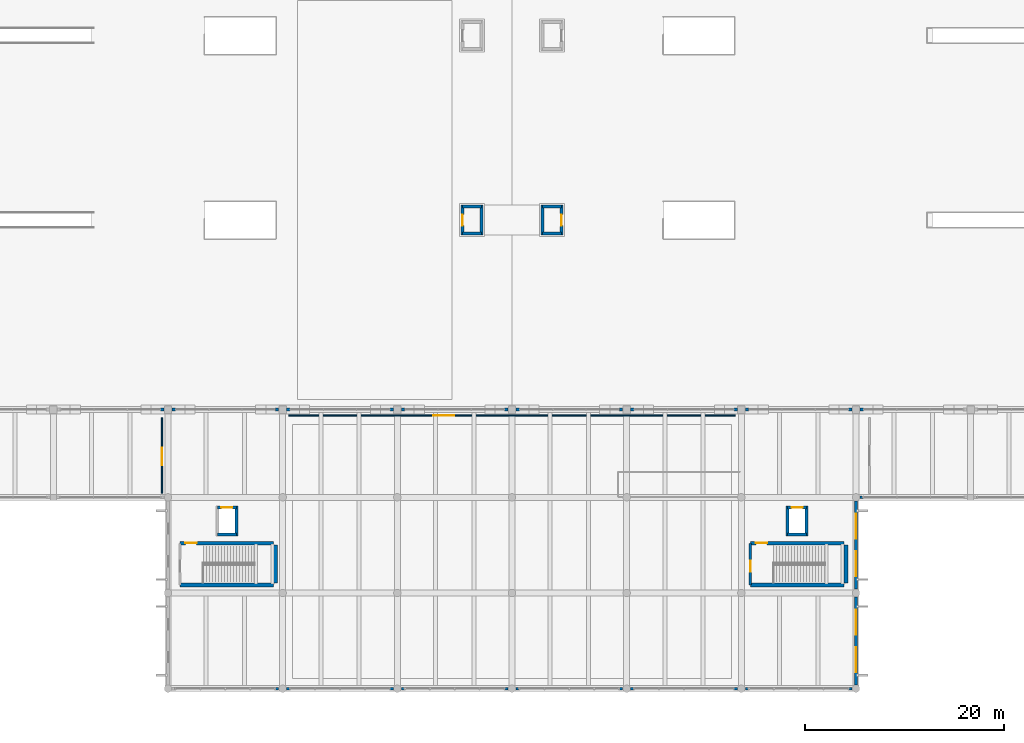
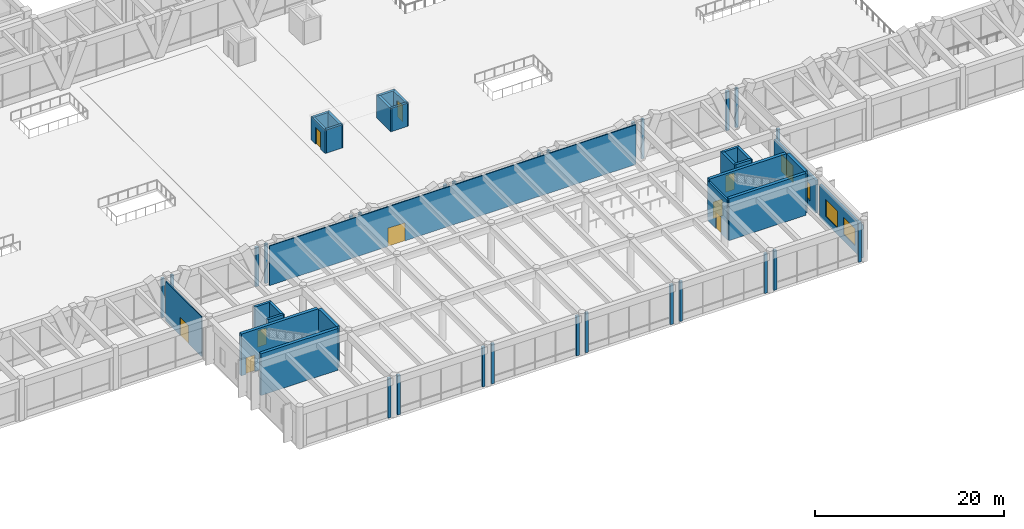
# One storey, part 125 of 148: 52 walls, 9 doors, 4 windows, 13 openings.
"""IFC4 building model written with IfcOpenShell, lengths in metres."""

from ifc_helpers import new_model, si_unit, direction, frame, frame_2d, origin, place, context, subcontext, project, spatial, rectangle, extrude, material, layer, layer_set, type_object, element, fill, save


model = new_model("IFC4")

# Units and contexts
model_context = context("Model", 3, precision=1e-05, world=origin(), true_north=direction((0.0, 1.0)))
body_context = subcontext(model_context, "Body", "Model", "MODEL_VIEW")
ifc_project = project(units=[si_unit("LENGTHUNIT", "METRE"), si_unit("AREAUNIT", "SQUARE_METRE"), si_unit("VOLUMEUNIT", "CUBIC_METRE"), si_unit("PLANEANGLEUNIT", "RADIAN"), si_unit("MASSUNIT", "GRAM", prefix="KILO")], contexts=[model_context])

# Site, building, storey
site_placement = place(None, origin())
site = spatial("IfcSite", under=ifc_project, at=site_placement, CompositionType="ELEMENT")
building_placement = place(site_placement, origin())
building = spatial("IfcBuilding", under=site, at=building_placement, Name="Ologun Quay Terminus", CompositionType="ELEMENT")
storey_placement = place(building_placement, frame((0.0, 0.0, 8.39990234375)))
storey = spatial("IfcBuildingStorey", under=building, at=storey_placement, Name="L02", CompositionType="ELEMENT", Elevation=8.39990234375)

# Wall, opening, door
ifc_material_1 = material(Name="Glass", Category="glass")
ifc_layer_1 = layer(ifc_material_1, 0.1201171875)
ifc_layer_set_1 = layer_set([ifc_layer_1], Name="Glass")
wall_type_1 = type_object("IfcWallType", Name="Acoustic Glazed Concourse Screen Wall 120", PredefinedType="MOVABLE", material=ifc_layer_set_1)
wall_1_placement = place(storey_placement, frame((69.60009765625, 35.39990234375, 0.0), z_axis=(0.0, 0.0, 1.0), x_axis=(1.0, 0.0, 0.0)))
wall_1 = element("IfcWall", 1, at=wall_1_placement, inside=storey, type_object=wall_type_1, Name="PW-10 Partition L02-WaitingLounge-N", PredefinedType="MOVABLE", context=body_context, shape_type="SweptSolid", body=[
    extrude(rectangle(XDim=44.7998046875, YDim=0.1201171875, at=frame_2d((22.39990234375, 0.0))), origin(), (0.0, 0.0, 1.0), 5.1201171875),
])
opening_1_placement = place(wall_1_placement, frame((14.5, 0.0, 0.0)))
opening_1 = element("IfcOpeningElement", 2, at=opening_1_placement, cuts=wall_1, Name="Opening ID-313", PredefinedType="OPENING", context=body_context, shape_type="SweptSolid", body=[
    extrude(rectangle(XDim=2.10009765625, YDim=2.35009765625, at=frame_2d((1.050048828125, 1.175048828125))), frame((0.0, 0.070068359375, 0.0), z_axis=(0.0, -1.0, 0.0), x_axis=(1.0, 0.0, 0.0)), (0.0, 0.0, 1.0), 0.14013671875),
])
ifc_material_2 = material(Name="Glass", Category="glass")
door_type_1 = type_object("IfcDoorType", Name="Waiting Lounge Glazed Pair 2100x2350", OperationType="DOUBLE_DOOR_SINGLE_SWING", PredefinedType="DOOR", material=ifc_material_2)
door_1_placement = place(opening_1_placement, origin())
door_1 = element("IfcDoor", 3, at=door_1_placement, inside=storey, type_object=door_type_1, Name="ID-07 Door ID-313", OperationType="DOUBLE_DOOR_SINGLE_SWING", OverallHeight=2.35009765625, OverallWidth=2.10009765625, PredefinedType="DOOR", context=body_context, shape_type="SweptSolid", body=[
    extrude(rectangle(XDim=2.10009765625, YDim=2.35009765625, at=frame_2d((1.050048828125, 1.175048828125))), frame((0.0, 0.02490234375, 0.0), z_axis=(0.0, -1.0, 0.0), x_axis=(1.0, 0.0, 0.0)), (0.0, 0.0, 1.0), 0.050048828125),
])
fill(opening_1, door_1)

# Walls
ifc_material_3 = material(Name="Concrete C40/50", Category="concrete")
ifc_layer_2 = layer(ifc_material_3, 0.280029296875)
ifc_layer_set_2 = layer_set([ifc_layer_2], Name="Concrete C40/50")
wall_type_2 = type_object("IfcWallType", Name="Courtyard Wing Spandrel Concrete Wall 280", PredefinedType="SOLIDWALL", material=ifc_layer_set_2)
for number, where, z_axis, x_axis, name in (
    (4, (68.2548828125, 8.0, 0.0), (0.0, 0.0, 1.0), (1.0, 0.0, 0.0), "Curtain Wall Jamb Pier CW-L02-024-J2"),
    (5, (69.39501953125, 8.0, 0.0), (0.0, 0.0, 1.0), (1.0, 0.0, 0.0), "Curtain Wall Jamb Pier CW-L02-025-J1"),
    (6, (79.7548828125, 8.0, 0.0), (0.0, 0.0, 1.0), (1.0, 0.0, 0.0), "Curtain Wall Jamb Pier CW-L02-025-J2"),
    (7, (80.89501953125, 8.0, 0.0), (0.0, 0.0, 1.0), (1.0, 0.0, 0.0), "Curtain Wall Jamb Pier CW-L02-026-J1"),
    (8, (91.2548828125, 8.0, 0.0), (0.0, 0.0, 1.0), (1.0, 0.0, 0.0), "Curtain Wall Jamb Pier CW-L02-026-J2"),
    (9, (92.39501953125, 8.0, 0.0), (0.0, 0.0, 1.0), (1.0, 0.0, 0.0), "Curtain Wall Jamb Pier CW-L02-027-J1"),
    (10, (102.7548828125, 8.0, 0.0), (0.0, 0.0, 1.0), (1.0, 0.0, 0.0), "Curtain Wall Jamb Pier CW-L02-027-J2"),
    (11, (103.89501953125, 8.0, 0.0), (0.0, 0.0, 1.0), (1.0, 0.0, 0.0), "Curtain Wall Jamb Pier CW-L02-028-J1"),
    (12, (114.2548828125, 8.0, 0.0), (0.0, 0.0, 1.0), (1.0, 0.0, 0.0), "Curtain Wall Jamb Pier CW-L02-028-J2"),
    (13, (115.39501953125, 8.0, 0.0), (0.0, 0.0, 1.0), (1.0, 0.0, 0.0), "Curtain Wall Jamb Pier CW-L02-029-J1"),
    (14, (125.7548828125, 8.0, 0.0), (0.0, 0.0, 1.0), (1.0, 0.0, 0.0), "Curtain Wall Jamb Pier CW-L02-029-J2"),
):
    element("IfcWall", number, at=place(storey_placement, frame(where, z_axis=z_axis, x_axis=x_axis)), inside=storey, type_object=wall_type_2, Name=name, PredefinedType="SOLIDWALL", context=body_context, shape_type="SweptSolid", body=[
        extrude(rectangle(XDim=0.35009765625, YDim=0.280029296875, at=frame_2d((0.175048828125, 0.0))), origin(), (0.0, 0.0, 1.0), 5.14013671875),
    ])

# Wall, openings, windows
wall_2_placement = place(storey_placement, frame((126.5, 8.39501953125, 0.0), z_axis=(0.0, 0.0, 1.0), x_axis=(0.0, 1.0, 0.0)))
wall_2 = element("IfcWall", 15, at=wall_2_placement, inside=storey, type_object=wall_type_2, Name="EW-02 Facade Wall WEW-SA-L02-2-7", PredefinedType="SOLIDWALL", context=body_context, shape_type="SweptSolid", body=[
    extrude(rectangle(XDim=8.81005859375, YDim=0.280029296875, at=frame_2d((4.405029296875, 0.0))), origin(), (0.0, 0.0, 1.0), 4.25),
])
opening_2_placement = place(wall_2_placement, frame((1.27001953125, 0.0, 0.85009765625)))
opening_2 = element("IfcOpeningElement", 16, at=opening_2_placement, cuts=wall_2, Name="Opening WN-073", PredefinedType="OPENING", context=body_context, shape_type="SweptSolid", body=[
    extrude(rectangle(XDim=2.5, YDim=2.199951171875, at=frame_2d((1.25, 1.10009765625))), frame((0.0, 0.14990234375, 0.0), z_axis=(0.0, -1.0, 0.0), x_axis=(1.0, 0.0, 0.0)), (0.0, 0.0, 1.0), 0.300048828125),
])
opening_3_placement = place(wall_2_placement, frame((5.0400390625, 0.0, 0.85009765625)))
opening_3 = element("IfcOpeningElement", 17, at=opening_3_placement, cuts=wall_2, Name="Opening WN-074", PredefinedType="OPENING", context=body_context, shape_type="SweptSolid", body=[
    extrude(rectangle(XDim=2.5, YDim=2.199951171875, at=frame_2d((1.25, 1.10009765625))), frame((0.0, 0.14990234375, 0.0), z_axis=(0.0, -1.0, 0.0), x_axis=(1.0, 0.0, 0.0)), (0.0, 0.0, 1.0), 0.300048828125),
])
ifc_material_4 = material(Name="Glass", Category="glass")
window_type = type_object("IfcWindowType", Name="Concourse Waiting Window 2500x2200", PartitioningType="SINGLE_PANEL", PredefinedType="WINDOW", material=ifc_material_4)
window_1_placement = place(opening_2_placement, origin())
window_1 = element("IfcWindow", 18, at=window_1_placement, inside=storey, type_object=window_type, Name="W-07 Window WN-073", OverallHeight=2.199951171875, OverallWidth=2.5, PartitioningType="SINGLE_PANEL", PredefinedType="WINDOW", context=body_context, shape_type="SweptSolid", body=[
    extrude(rectangle(XDim=2.5, YDim=2.199951171875, at=frame_2d((1.25, 1.10009765625))), frame((0.0, 0.030029296875, 0.0), z_axis=(0.0, -1.0, 0.0), x_axis=(1.0, 0.0, 0.0)), (0.0, 0.0, 1.0), 0.06005859375),
])
fill(opening_2, window_1)
window_2_placement = place(opening_3_placement, origin())
window_2 = element("IfcWindow", 19, at=window_2_placement, inside=storey, type_object=window_type, Name="W-07 Window WN-074", OverallHeight=2.199951171875, OverallWidth=2.5, PartitioningType="SINGLE_PANEL", PredefinedType="WINDOW", context=body_context, shape_type="SweptSolid", body=[
    extrude(rectangle(XDim=2.5, YDim=2.199951171875, at=frame_2d((1.25, 1.10009765625))), frame((0.0, 0.030029296875, 0.0), z_axis=(0.0, -1.0, 0.0), x_axis=(1.0, 0.0, 0.0)), (0.0, 0.0, 1.0), 0.06005859375),
])
fill(opening_3, window_2)

wall_3_placement = place(storey_placement, frame((126.5, 17.9951171875, 0.0), z_axis=(0.0, 0.0, 1.0), x_axis=(0.0, 1.0, 0.0)))
wall_3 = element("IfcWall", 20, at=wall_3_placement, inside=storey, type_object=wall_type_2, Name="EW-02 Facade Wall WEW-SA-L02-2-8", PredefinedType="SOLIDWALL", context=body_context, shape_type="SweptSolid", body=[
    extrude(rectangle(XDim=8.809814453125, YDim=0.280029296875, at=frame_2d((4.40478515625, 0.0))), origin(), (0.0, 0.0, 1.0), 4.25),
])
opening_4_placement = place(wall_3_placement, frame((1.27001953125, 0.0, 0.85009765625)))
opening_4 = element("IfcOpeningElement", 21, at=opening_4_placement, cuts=wall_3, Name="Opening WN-075", PredefinedType="OPENING", context=body_context, shape_type="SweptSolid", body=[
    extrude(rectangle(XDim=2.5, YDim=2.199951171875, at=frame_2d((1.25, 1.10009765625))), frame((0.0, 0.14990234375, 0.0), z_axis=(0.0, -1.0, 0.0), x_axis=(1.0, 0.0, 0.0)), (0.0, 0.0, 1.0), 0.300048828125),
])
opening_5_placement = place(wall_3_placement, frame((5.0400390625, 0.0, 0.85009765625)))
opening_5 = element("IfcOpeningElement", 22, at=opening_5_placement, cuts=wall_3, Name="Opening WN-076", PredefinedType="OPENING", context=body_context, shape_type="SweptSolid", body=[
    extrude(rectangle(XDim=2.5, YDim=2.199951171875, at=frame_2d((1.25, 1.10009765625))), frame((0.0, 0.14990234375, 0.0), z_axis=(0.0, -1.0, 0.0), x_axis=(1.0, 0.0, 0.0)), (0.0, 0.0, 1.0), 0.300048828125),
])
window_3_placement = place(opening_4_placement, origin())
window_3 = element("IfcWindow", 23, at=window_3_placement, inside=storey, type_object=window_type, Name="W-07 Window WN-075", OverallHeight=2.199951171875, OverallWidth=2.5, PartitioningType="SINGLE_PANEL", PredefinedType="WINDOW", context=body_context, shape_type="SweptSolid", body=[
    extrude(rectangle(XDim=2.5, YDim=2.199951171875, at=frame_2d((1.25, 1.10009765625))), frame((0.0, 0.030029296875, 0.0), z_axis=(0.0, -1.0, 0.0), x_axis=(1.0, 0.0, 0.0)), (0.0, 0.0, 1.0), 0.06005859375),
])
fill(opening_4, window_3)
window_4_placement = place(opening_5_placement, origin())
window_4 = element("IfcWindow", 24, at=window_4_placement, inside=storey, type_object=window_type, Name="W-07 Window WN-076", OverallHeight=2.199951171875, OverallWidth=2.5, PartitioningType="SINGLE_PANEL", PredefinedType="WINDOW", context=body_context, shape_type="SweptSolid", body=[
    extrude(rectangle(XDim=2.5, YDim=2.199951171875, at=frame_2d((1.25, 1.10009765625))), frame((0.0, 0.030029296875, 0.0), z_axis=(0.0, -1.0, 0.0), x_axis=(1.0, 0.0, 0.0)), (0.0, 0.0, 1.0), 0.06005859375),
])
fill(opening_5, window_4)

# Wall
wall_4_placement = place(storey_placement, frame((126.89501953125, 27.199951171875, 0.0), z_axis=(0.0, 0.0, 1.0), x_axis=(1.0, 0.0, 0.0)))
element("IfcWall", 25, at=wall_4_placement, inside=storey, type_object=wall_type_2, Name="Curtain Wall Jamb Pier CW-L02-030-J1", PredefinedType="SOLIDWALL", context=body_context, shape_type="SweptSolid", body=[
    extrude(rectangle(XDim=0.35009765625, YDim=0.280029296875, at=frame_2d((0.175048828125, 0.0))), origin(), (0.0, 0.0, 1.0), 5.14013671875),
])

# Wall, opening, door
ifc_material_5 = material(Name="Concrete C40/50", Category="concrete")
ifc_layer_3 = layer(ifc_material_5, 0.239990234375)
ifc_layer_set_3 = layer_set([ifc_layer_3], Name="Concrete C40/50")
wall_type_3 = type_object("IfcWallType", Name="Fire Compartment Blockwork Wall 240", PredefinedType="SOLIDWALL", material=ifc_layer_set_3)
wall_5_placement = place(storey_placement, frame((115.89990234375, 18.419921875, 0.0), z_axis=(0.0, 0.0, 1.0), x_axis=(0.0, 1.0, 0.0)))
wall_5 = element("IfcWall", 26, at=wall_5_placement, inside=storey, type_object=wall_type_3, Name="PW-01 Partition ST-S4-W", PredefinedType="SOLIDWALL", context=body_context, shape_type="SweptSolid", body=[
    extrude(rectangle(XDim=4.16015625, YDim=0.239990234375, at=frame_2d((2.080078125, 0.0))), origin(), (0.0, 0.0, 1.0), 5.1201171875),
])
opening_6_placement = place(wall_5_placement, frame((1.300048828125, 0.0, 0.0)))
opening_6 = element("IfcOpeningElement", 27, at=opening_6_placement, cuts=wall_5, Name="Opening ID-270", PredefinedType="OPENING", context=body_context, shape_type="SweptSolid", body=[
    extrude(rectangle(XDim=1.1298828125, YDim=2.14990234375, at=frame_2d((0.56494140625, 1.074951171875))), frame((0.0, 0.1298828125, 0.0), z_axis=(0.0, -1.0, 0.0), x_axis=(1.0, 0.0, 0.0)), (0.0, 0.0, 1.0), 0.260009765625),
])
ifc_material_6 = material(Name="Steel S355", Category="steel")
door_type_2 = type_object("IfcDoorType", Name="Stairwell Fire Escape Door 1130x2150", OperationType="SINGLE_SWING_LEFT", PredefinedType="DOOR", material=ifc_material_6)
door_2_placement = place(opening_6_placement, frame((0.56494140625, 0.0, 0.0), z_axis=(0.0, 0.0, 1.0), x_axis=(-1.0, 0.0, 0.0)))
door_2 = element("IfcDoor", 28, at=door_2_placement, inside=storey, type_object=door_type_2, Name="FD-01 Door ID-270", OperationType="SINGLE_SWING_LEFT", OverallHeight=2.14990234375, OverallWidth=1.1298828125, PredefinedType="DOOR", context=body_context, shape_type="SweptSolid", body=[
    extrude(rectangle(XDim=1.1298828125, YDim=2.14990234375, at=frame_2d((0.0, 1.074951171875))), frame((0.0, 0.02490234375, 0.0), z_axis=(0.0, -1.0, 0.0), x_axis=(1.0, 0.0, 0.0)), (0.0, 0.0, 1.0), 0.050048828125),
])
fill(opening_6, door_2)

# Wall
ifc_material_7 = material(Name="Concrete C40/50", Category="concrete")
ifc_layer_4 = layer(ifc_material_7, 0.300048828125)
ifc_layer_set_4 = layer_set([ifc_layer_4], Name="Concrete C40/50")
wall_type_4 = type_object("IfcWallType", Name="Lift Shaft Structural Shear Wall 300", PredefinedType="SHEAR", material=ifc_layer_set_4)
wall_6_placement = place(storey_placement, frame((62.449951171875, 23.449951171875, 0.0), z_axis=(0.0, 0.0, 1.0), x_axis=(1.0, 0.0, 0.0)))
element("IfcWall", 29, at=wall_6_placement, inside=storey, type_object=wall_type_4, Name="Lift PL-S1 Shaft Wall S L02", PredefinedType="SHEAR", context=body_context, shape_type="SweptSolid", body=[
    extrude(rectangle(XDim=1.900146484375, YDim=0.300048828125, at=frame_2d((0.9501953125, 0.0))), origin(), (0.0, 0.0, 1.0), 5.400146484375),
])

# Wall, opening, door
wall_7_placement = place(storey_placement, frame((62.449951171875, 26.14990234375, 0.0), z_axis=(0.0, 0.0, 1.0), x_axis=(1.0, 0.0, 0.0)))
wall_7 = element("IfcWall", 30, at=wall_7_placement, inside=storey, type_object=wall_type_4, Name="Lift PL-S1 Shaft Wall N L02", PredefinedType="SHEAR", context=body_context, shape_type="SweptSolid", body=[
    extrude(rectangle(XDim=1.900146484375, YDim=0.300048828125, at=frame_2d((0.9501953125, 0.0))), origin(), (0.0, 0.0, 1.0), 5.400146484375),
])
opening_7_placement = place(wall_7_placement, frame((0.39990234375, 0.0, 0.0)))
opening_7 = element("IfcOpeningElement", 31, at=opening_7_placement, cuts=wall_7, Name="Opening ID-050", PredefinedType="OPENING", context=body_context, shape_type="SweptSolid", body=[
    extrude(rectangle(XDim=1.10009765625, YDim=2.14990234375, at=frame_2d((0.550048828125, 1.074951171875))), frame((0.0, 0.16015625, 0.0), z_axis=(0.0, -1.0, 0.0), x_axis=(1.0, 0.0, 0.0)), (0.0, 0.0, 1.0), 0.320068359375),
])
ifc_material_8 = material(Name="Steel S355", Category="steel")
door_type_3 = type_object("IfcDoorType", Name="Lift Landing Sliding Door 1100x2150", OperationType="SLIDING_TO_LEFT", PredefinedType="DOOR", material=ifc_material_8)
door_3_placement = place(opening_7_placement, origin())
door_3 = element("IfcDoor", 32, at=door_3_placement, inside=storey, type_object=door_type_3, Name="LD-01 Door ID-050", OperationType="SLIDING_TO_LEFT", OverallHeight=2.14990234375, OverallWidth=1.10009765625, PredefinedType="DOOR", context=body_context, shape_type="SweptSolid", body=[
    extrude(rectangle(XDim=1.10009765625, YDim=2.14990234375, at=frame_2d((0.550048828125, 1.074951171875))), frame((0.0, 0.02490234375, 0.0), z_axis=(0.0, -1.0, 0.0), x_axis=(1.0, 0.0, 0.0)), (0.0, 0.0, 1.0), 0.050048828125),
])
fill(opening_7, door_3)

# Walls
wall_8_placement = place(storey_placement, frame((64.35009765625, 23.300048828125, 0.0), z_axis=(0.0, 0.0, 1.0), x_axis=(0.0, 1.0, 0.0)))
element("IfcWall", 33, at=wall_8_placement, inside=storey, type_object=wall_type_4, Name="Lift PL-S1 Shaft Wall E L02", PredefinedType="SHEAR", context=body_context, shape_type="SweptSolid", body=[
    extrude(rectangle(XDim=3.0, YDim=0.300048828125, at=frame_2d((1.5, 0.0))), origin(), (0.0, 0.0, 1.0), 5.400146484375),
])
wall_9_placement = place(storey_placement, frame((119.64990234375, 23.449951171875, 0.0), z_axis=(0.0, 0.0, 1.0), x_axis=(1.0, 0.0, 0.0)))
element("IfcWall", 34, at=wall_9_placement, inside=storey, type_object=wall_type_4, Name="Lift PL-S2 Shaft Wall S L02", PredefinedType="SHEAR", context=body_context, shape_type="SweptSolid", body=[
    extrude(rectangle(XDim=1.900146484375, YDim=0.300048828125, at=frame_2d((0.9501953125, 0.0))), origin(), (0.0, 0.0, 1.0), 5.400146484375),
])

# Wall, opening, door
wall_10_placement = place(storey_placement, frame((119.64990234375, 26.14990234375, 0.0), z_axis=(0.0, 0.0, 1.0), x_axis=(1.0, 0.0, 0.0)))
wall_10 = element("IfcWall", 35, at=wall_10_placement, inside=storey, type_object=wall_type_4, Name="Lift PL-S2 Shaft Wall N L02", PredefinedType="SHEAR", context=body_context, shape_type="SweptSolid", body=[
    extrude(rectangle(XDim=1.900146484375, YDim=0.300048828125, at=frame_2d((0.9501953125, 0.0))), origin(), (0.0, 0.0, 1.0), 5.400146484375),
])
opening_8_placement = place(wall_10_placement, frame((0.39990234375, 0.0, 0.0)))
opening_8 = element("IfcOpeningElement", 36, at=opening_8_placement, cuts=wall_10, Name="Opening ID-056", PredefinedType="OPENING", context=body_context, shape_type="SweptSolid", body=[
    extrude(rectangle(XDim=1.10009765625, YDim=2.14990234375, at=frame_2d((0.550048828125, 1.074951171875))), frame((0.0, 0.16015625, 0.0), z_axis=(0.0, -1.0, 0.0), x_axis=(1.0, 0.0, 0.0)), (0.0, 0.0, 1.0), 0.320068359375),
])
door_4_placement = place(opening_8_placement, origin())
door_4 = element("IfcDoor", 37, at=door_4_placement, inside=storey, type_object=door_type_3, Name="LD-01 Door ID-056", OperationType="SLIDING_TO_LEFT", OverallHeight=2.14990234375, OverallWidth=1.10009765625, PredefinedType="DOOR", context=body_context, shape_type="SweptSolid", body=[
    extrude(rectangle(XDim=1.10009765625, YDim=2.14990234375, at=frame_2d((0.550048828125, 1.074951171875))), frame((0.0, 0.02490234375, 0.0), z_axis=(0.0, -1.0, 0.0), x_axis=(1.0, 0.0, 0.0)), (0.0, 0.0, 1.0), 0.050048828125),
])
fill(opening_8, door_4)

# Walls
for number, where, z_axis, x_axis, name in (
    (38, (119.64990234375, 23.300048828125, 0.0), (0.0, 0.0, 1.0), (0.0, 1.0, 0.0), "Lift PL-S2 Shaft Wall W L02"),
    (39, (121.550048828125, 23.300048828125, 0.0), (0.0, 0.0, 1.0), (0.0, 1.0, 0.0), "Lift PL-S2 Shaft Wall E L02"),
):
    element("IfcWall", number, at=place(storey_placement, frame(where, z_axis=z_axis, x_axis=x_axis)), inside=storey, type_object=wall_type_4, Name=name, PredefinedType="SHEAR", context=body_context, shape_type="SweptSolid", body=[
        extrude(rectangle(XDim=3.0, YDim=0.300048828125, at=frame_2d((1.5, 0.0))), origin(), (0.0, 0.0, 1.0), 5.400146484375),
    ])
for number, where, z_axis, x_axis, name in (
    (40, (87.050048828125, 53.64990234375, 0.0), (0.0, 0.0, 1.0), (1.0, 0.0, 0.0), "Lift PL-P1 Shaft Wall S L02"),
    (41, (87.050048828125, 56.35009765625, 0.0), (0.0, 0.0, 1.0), (1.0, 0.0, 0.0), "Lift PL-P1 Shaft Wall N L02"),
):
    element("IfcWall", number, at=place(storey_placement, frame(where, z_axis=z_axis, x_axis=x_axis)), inside=storey, type_object=wall_type_4, Name=name, PredefinedType="SHEAR", context=body_context, shape_type="SweptSolid", body=[
        extrude(rectangle(XDim=1.89990234375, YDim=0.300048828125, at=frame_2d((0.949951171875, 0.0))), origin(), (0.0, 0.0, 1.0), 3.0),
    ])

# Wall, opening, door
wall_11_placement = place(storey_placement, frame((87.050048828125, 53.5, 0.0), z_axis=(0.0, 0.0, 1.0), x_axis=(0.0, 1.0, 0.0)))
wall_11 = element("IfcWall", 42, at=wall_11_placement, inside=storey, type_object=wall_type_4, Name="Lift PL-P1 Shaft Wall W L02", PredefinedType="SHEAR", context=body_context, shape_type="SweptSolid", body=[
    extrude(rectangle(XDim=3.0, YDim=0.300048828125, at=frame_2d((1.5, 0.0))), origin(), (0.0, 0.0, 1.0), 3.0),
])
opening_9_placement = place(wall_11_placement, frame((0.949951171875, 0.0, 0.0)))
opening_9 = element("IfcOpeningElement", 43, at=opening_9_placement, cuts=wall_11, Name="Opening ID-059", PredefinedType="OPENING", context=body_context, shape_type="SweptSolid", body=[
    extrude(rectangle(XDim=1.10009765625, YDim=2.14990234375, at=frame_2d((0.550048828125, 1.074951171875))), frame((0.0, 0.16015625, 0.0), z_axis=(0.0, -1.0, 0.0), x_axis=(1.0, 0.0, 0.0)), (0.0, 0.0, 1.0), 0.320068359375),
])
door_5_placement = place(opening_9_placement, origin())
door_5 = element("IfcDoor", 44, at=door_5_placement, inside=storey, type_object=door_type_3, Name="LD-01 Door ID-059", OperationType="SLIDING_TO_LEFT", OverallHeight=2.14990234375, OverallWidth=1.10009765625, PredefinedType="DOOR", context=body_context, shape_type="SweptSolid", body=[
    extrude(rectangle(XDim=1.10009765625, YDim=2.14990234375, at=frame_2d((0.550048828125, 1.074951171875))), frame((0.0, 0.02490234375, 0.0), z_axis=(0.0, -1.0, 0.0), x_axis=(1.0, 0.0, 0.0)), (0.0, 0.0, 1.0), 0.050048828125),
])
fill(opening_9, door_5)

# Walls
wall_12_placement = place(storey_placement, frame((88.949951171875, 53.5, 0.0), z_axis=(0.0, 0.0, 1.0), x_axis=(0.0, 1.0, 0.0)))
element("IfcWall", 45, at=wall_12_placement, inside=storey, type_object=wall_type_4, Name="Lift PL-P1 Shaft Wall E L02", PredefinedType="SHEAR", context=body_context, shape_type="SweptSolid", body=[
    extrude(rectangle(XDim=3.0, YDim=0.300048828125, at=frame_2d((1.5, 0.0))), origin(), (0.0, 0.0, 1.0), 3.0),
])
for number, where, z_axis, x_axis, name in (
    (46, (95.050048828125, 53.64990234375, 0.0), (0.0, 0.0, 1.0), (1.0, 0.0, 0.0), "Lift PL-P2 Shaft Wall S L02"),
    (47, (95.050048828125, 56.35009765625, 0.0), (0.0, 0.0, 1.0), (1.0, 0.0, 0.0), "Lift PL-P2 Shaft Wall N L02"),
):
    element("IfcWall", number, at=place(storey_placement, frame(where, z_axis=z_axis, x_axis=x_axis)), inside=storey, type_object=wall_type_4, Name=name, PredefinedType="SHEAR", context=body_context, shape_type="SweptSolid", body=[
        extrude(rectangle(XDim=1.89990234375, YDim=0.300048828125, at=frame_2d((0.949951171875, 0.0))), origin(), (0.0, 0.0, 1.0), 3.0),
    ])
wall_13_placement = place(storey_placement, frame((95.050048828125, 53.5, 0.0), z_axis=(0.0, 0.0, 1.0), x_axis=(0.0, 1.0, 0.0)))
element("IfcWall", 48, at=wall_13_placement, inside=storey, type_object=wall_type_4, Name="Lift PL-P2 Shaft Wall W L02", PredefinedType="SHEAR", context=body_context, shape_type="SweptSolid", body=[
    extrude(rectangle(XDim=3.0, YDim=0.300048828125, at=frame_2d((1.5, 0.0))), origin(), (0.0, 0.0, 1.0), 3.0),
])

# Wall, opening, door
wall_14_placement = place(storey_placement, frame((96.949951171875, 53.5, 0.0), z_axis=(0.0, 0.0, 1.0), x_axis=(0.0, 1.0, 0.0)))
wall_14 = element("IfcWall", 49, at=wall_14_placement, inside=storey, type_object=wall_type_4, Name="Lift PL-P2 Shaft Wall E L02", PredefinedType="SHEAR", context=body_context, shape_type="SweptSolid", body=[
    extrude(rectangle(XDim=3.0, YDim=0.300048828125, at=frame_2d((1.5, 0.0))), origin(), (0.0, 0.0, 1.0), 3.0),
])
opening_10_placement = place(wall_14_placement, frame((0.949951171875, 0.0, 0.0)))
opening_10 = element("IfcOpeningElement", 50, at=opening_10_placement, cuts=wall_14, Name="Opening ID-061", PredefinedType="OPENING", context=body_context, shape_type="SweptSolid", body=[
    extrude(rectangle(XDim=1.10009765625, YDim=2.14990234375, at=frame_2d((0.550048828125, 1.074951171875))), frame((0.0, 0.16015625, 0.0), z_axis=(0.0, -1.0, 0.0), x_axis=(1.0, 0.0, 0.0)), (0.0, 0.0, 1.0), 0.320068359375),
])
door_6_placement = place(opening_10_placement, origin())
door_6 = element("IfcDoor", 51, at=door_6_placement, inside=storey, type_object=door_type_3, Name="LD-01 Door ID-061", OperationType="SLIDING_TO_LEFT", OverallHeight=2.14990234375, OverallWidth=1.10009765625, PredefinedType="DOOR", context=body_context, shape_type="SweptSolid", body=[
    extrude(rectangle(XDim=1.10009765625, YDim=2.14990234375, at=frame_2d((0.550048828125, 1.074951171875))), frame((0.0, 0.02490234375, 0.0), z_axis=(0.0, -1.0, 0.0), x_axis=(1.0, 0.0, 0.0)), (0.0, 0.0, 1.0), 0.050048828125),
])
fill(opening_10, door_6)

# Wall
ifc_material_9 = material(Name="Concrete C40/50", Category="concrete")
ifc_layer_5 = layer(ifc_material_9, 0.3798828125)
ifc_layer_set_5 = layer_set([ifc_layer_5], Name="Concrete C40/50")
wall_type_5 = type_object("IfcWallType", Name="Platform Spine Shear Wall 380", PredefinedType="SHEAR", material=ifc_layer_set_5)
wall_15_placement = place(storey_placement, frame((58.699951171875, 18.409912109375, 0.0), z_axis=(0.0, 0.0, 1.0), x_axis=(1.0, 0.0, 0.0)))
element("IfcWall", 52, at=wall_15_placement, inside=storey, type_object=wall_type_5, Name="Station Core 3 S Shear Wall L02", PredefinedType="SHEAR", context=body_context, shape_type="SweptSolid", body=[
    extrude(rectangle(XDim=9.400146484375, YDim=0.3798828125, at=frame_2d((4.7001953125, 0.0))), origin(), (0.0, 0.0, 1.0), 5.400146484375),
])

# Wall, opening, door
wall_16_placement = place(storey_placement, frame((58.699951171875, 22.590087890625, 0.0), z_axis=(0.0, 0.0, 1.0), x_axis=(1.0, 0.0, 0.0)))
wall_16 = element("IfcWall", 53, at=wall_16_placement, inside=storey, type_object=wall_type_5, Name="Station Core 3 N Shear Wall L02", PredefinedType="SHEAR", context=body_context, shape_type="SweptSolid", body=[
    extrude(rectangle(XDim=9.400146484375, YDim=0.3798828125, at=frame_2d((4.7001953125, 0.0))), origin(), (0.0, 0.0, 1.0), 5.400146484375),
])
opening_11_placement = place(wall_16_placement, frame((0.550048828125, 0.0, 0.0)))
opening_11 = element("IfcOpeningElement", 54, at=opening_11_placement, cuts=wall_16, Name="Opening ID-258", PredefinedType="OPENING", context=body_context, shape_type="SweptSolid", body=[
    extrude(rectangle(XDim=1.1298828125, YDim=2.14990234375, at=frame_2d((0.56494140625, 1.074951171875))), frame((0.0, 0.199951171875, 0.0), z_axis=(0.0, -1.0, 0.0), x_axis=(1.0, 0.0, 0.0)), (0.0, 0.0, 1.0), 0.39990234375),
])
door_7_placement = place(opening_11_placement, frame((0.56494140625, 0.0, 0.0), z_axis=(0.0, 0.0, 1.0), x_axis=(-1.0, 0.0, 0.0)))
door_7 = element("IfcDoor", 55, at=door_7_placement, inside=storey, type_object=door_type_2, Name="FD-01 Door ID-258", OperationType="SINGLE_SWING_LEFT", OverallHeight=2.14990234375, OverallWidth=1.1298828125, PredefinedType="DOOR", context=body_context, shape_type="SweptSolid", body=[
    extrude(rectangle(XDim=1.1298828125, YDim=2.14990234375, at=frame_2d((0.0, 1.074951171875))), frame((0.0, 0.02490234375, 0.0), z_axis=(0.0, -1.0, 0.0), x_axis=(1.0, 0.0, 0.0)), (0.0, 0.0, 1.0), 0.050048828125),
])
fill(opening_11, door_7)

# Walls
wall_17_placement = place(storey_placement, frame((68.2900390625, 18.60009765625, 0.0), z_axis=(0.0, 0.0, 1.0), x_axis=(0.0, 1.0, 0.0)))
element("IfcWall", 56, at=wall_17_placement, inside=storey, type_object=wall_type_5, Name="Station Core 3 E Shear Wall L02", PredefinedType="SHEAR", context=body_context, shape_type="SweptSolid", body=[
    extrude(rectangle(XDim=3.7998046875, YDim=0.3798828125, at=frame_2d((1.89990234375, 0.0))), origin(), (0.0, 0.0, 1.0), 5.400146484375),
])
wall_18_placement = place(storey_placement, frame((115.89990234375, 18.409912109375, 0.0), z_axis=(0.0, 0.0, 1.0), x_axis=(1.0, 0.0, 0.0)))
element("IfcWall", 57, at=wall_18_placement, inside=storey, type_object=wall_type_5, Name="Station Core 4 S Shear Wall L02", PredefinedType="SHEAR", context=body_context, shape_type="SweptSolid", body=[
    extrude(rectangle(XDim=9.400146484375, YDim=0.3798828125, at=frame_2d((4.7001953125, 0.0))), origin(), (0.0, 0.0, 1.0), 5.400146484375),
])

# Wall, opening, door
wall_19_placement = place(storey_placement, frame((115.89990234375, 22.590087890625, 0.0), z_axis=(0.0, 0.0, 1.0), x_axis=(1.0, 0.0, 0.0)))
wall_19 = element("IfcWall", 58, at=wall_19_placement, inside=storey, type_object=wall_type_5, Name="Station Core 4 N Shear Wall L02", PredefinedType="SHEAR", context=body_context, shape_type="SweptSolid", body=[
    extrude(rectangle(XDim=9.400146484375, YDim=0.3798828125, at=frame_2d((4.7001953125, 0.0))), origin(), (0.0, 0.0, 1.0), 5.400146484375),
])
opening_12_placement = place(wall_19_placement, frame((0.550048828125, 0.0, 0.0)))
opening_12 = element("IfcOpeningElement", 59, at=opening_12_placement, cuts=wall_19, Name="Opening ID-271", PredefinedType="OPENING", context=body_context, shape_type="SweptSolid", body=[
    extrude(rectangle(XDim=1.1298828125, YDim=2.14990234375, at=frame_2d((0.56494140625, 1.074951171875))), frame((0.0, 0.199951171875, 0.0), z_axis=(0.0, -1.0, 0.0), x_axis=(1.0, 0.0, 0.0)), (0.0, 0.0, 1.0), 0.39990234375),
])
door_8_placement = place(opening_12_placement, frame((0.56494140625, 0.0, 0.0), z_axis=(0.0, 0.0, 1.0), x_axis=(-1.0, 0.0, 0.0)))
door_8 = element("IfcDoor", 60, at=door_8_placement, inside=storey, type_object=door_type_2, Name="FD-01 Door ID-271", OperationType="SINGLE_SWING_LEFT", OverallHeight=2.14990234375, OverallWidth=1.1298828125, PredefinedType="DOOR", context=body_context, shape_type="SweptSolid", body=[
    extrude(rectangle(XDim=1.1298828125, YDim=2.14990234375, at=frame_2d((0.0, 1.074951171875))), frame((0.0, 0.02490234375, 0.0), z_axis=(0.0, -1.0, 0.0), x_axis=(1.0, 0.0, 0.0)), (0.0, 0.0, 1.0), 0.050048828125),
])
fill(opening_12, door_8)

# Walls
wall_20_placement = place(storey_placement, frame((125.489990234375, 18.60009765625, 0.0), z_axis=(0.0, 0.0, 1.0), x_axis=(0.0, 1.0, 0.0)))
element("IfcWall", 61, at=wall_20_placement, inside=storey, type_object=wall_type_5, Name="Station Core 4 E Shear Wall L02", PredefinedType="SHEAR", context=body_context, shape_type="SweptSolid", body=[
    extrude(rectangle(XDim=3.7998046875, YDim=0.3798828125, at=frame_2d((1.89990234375, 0.0))), origin(), (0.0, 0.0, 1.0), 5.400146484375),
])
ifc_material_10 = material(Name="Concrete C40/50", Category="concrete")
ifc_layer_6 = layer(ifc_material_10, 0.260009765625)
ifc_layer_set_6 = layer_set([ifc_layer_6], Name="Concrete C40/50")
wall_type_6 = type_object("IfcWallType", Name="Train Shed Clerestory Upstand Wall 260", PredefinedType="SOLIDWALL", material=ifc_layer_set_6)
for number, where, z_axis, x_axis, name in (
    (62, (56.7548828125, 36.0, 0.0), (0.0, 0.0, 1.0), (1.0, 0.0, 0.0), "Curtain Wall Jamb Pier CW-L02-052-J2"),
    (63, (57.89501953125, 36.0, 0.0), (0.0, 0.0, 1.0), (1.0, 0.0, 0.0), "Curtain Wall Jamb Pier CW-L02-054-J1"),
    (64, (68.2548828125, 36.0, 0.0), (0.0, 0.0, 1.0), (1.0, 0.0, 0.0), "Curtain Wall Jamb Pier CW-L02-054-J2"),
    (65, (69.39501953125, 36.0, 0.0), (0.0, 0.0, 1.0), (1.0, 0.0, 0.0), "Curtain Wall Jamb Pier CW-L02-056-J1"),
    (66, (79.7548828125, 36.0, 0.0), (0.0, 0.0, 1.0), (1.0, 0.0, 0.0), "Curtain Wall Jamb Pier CW-L02-056-J2"),
    (67, (80.89501953125, 36.0, 0.0), (0.0, 0.0, 1.0), (1.0, 0.0, 0.0), "Curtain Wall Jamb Pier CW-L02-058-J1"),
    (68, (91.2548828125, 36.0, 0.0), (0.0, 0.0, 1.0), (1.0, 0.0, 0.0), "Curtain Wall Jamb Pier CW-L02-058-J2"),
    (69, (92.39501953125, 36.0, 0.0), (0.0, 0.0, 1.0), (1.0, 0.0, 0.0), "Curtain Wall Jamb Pier CW-L02-060-J1"),
    (70, (102.7548828125, 36.0, 0.0), (0.0, 0.0, 1.0), (1.0, 0.0, 0.0), "Curtain Wall Jamb Pier CW-L02-060-J2"),
    (71, (103.89501953125, 36.0, 0.0), (0.0, 0.0, 1.0), (1.0, 0.0, 0.0), "Curtain Wall Jamb Pier CW-L02-062-J1"),
    (72, (114.2548828125, 36.0, 0.0), (0.0, 0.0, 1.0), (1.0, 0.0, 0.0), "Curtain Wall Jamb Pier CW-L02-062-J2"),
    (73, (115.39501953125, 36.0, 0.0), (0.0, 0.0, 1.0), (1.0, 0.0, 0.0), "Curtain Wall Jamb Pier CW-L02-064-J1"),
    (74, (125.7548828125, 36.0, 0.0), (0.0, 0.0, 1.0), (1.0, 0.0, 0.0), "Curtain Wall Jamb Pier CW-L02-064-J2"),
    (75, (126.89501953125, 36.0, 0.0), (0.0, 0.0, 1.0), (1.0, 0.0, 0.0), "Curtain Wall Jamb Pier CW-L02-066-J1"),
):
    element("IfcWall", number, at=place(storey_placement, frame(where, z_axis=z_axis, x_axis=x_axis)), inside=storey, type_object=wall_type_6, Name=name, PredefinedType="SOLIDWALL", context=body_context, shape_type="SweptSolid", body=[
        extrude(rectangle(XDim=0.35009765625, YDim=0.260009765625, at=frame_2d((0.175048828125, 0.0))), origin(), (0.0, 0.0, 1.0), 5.10009765625),
    ])

# Wall, opening, door
ifc_material_11 = material(Name="Glass", Category="glass")
ifc_layer_7 = layer(ifc_material_11, 0.110107421875)
ifc_layer_set_7 = layer_set([ifc_layer_7], Name="Glass")
wall_type_7 = type_object("IfcWallType", Name="VIP & Tea Salon Glazed Screen Wall 110", PredefinedType="MOVABLE", material=ifc_layer_set_7)
wall_21_placement = place(storey_placement, frame((56.89990234375, 27.60009765625, 0.0), z_axis=(0.0, 0.0, 1.0), x_axis=(0.0, 1.0, 0.0)))
wall_21 = element("IfcWall", 76, at=wall_21_placement, inside=storey, type_object=wall_type_7, Name="PW-11 Partition L02-VIPLounge-E", PredefinedType="MOVABLE", context=body_context, shape_type="SweptSolid", body=[
    extrude(rectangle(XDim=7.599853515625, YDim=0.110107421875, at=frame_2d((3.7998046875, 0.0))), origin(), (0.0, 0.0, 1.0), 5.1201171875),
])
opening_13_placement = place(wall_21_placement, frame((2.800048828125, 0.0, 0.0)))
opening_13 = element("IfcOpeningElement", 77, at=opening_13_placement, cuts=wall_21, Name="Opening ID-314", PredefinedType="OPENING", context=body_context, shape_type="SweptSolid", body=[
    extrude(rectangle(XDim=1.75, YDim=2.300048828125, at=frame_2d((0.875, 1.14990234375))), frame((0.0, 0.06494140625, 0.0), z_axis=(0.0, -1.0, 0.0), x_axis=(1.0, 0.0, 0.0)), (0.0, 0.0, 1.0), 0.130126953125),
])
ifc_material_12 = material(Name="Timber Hardwood", Category="wood")
door_type_4 = type_object("IfcDoorType", Name="VIP Lounge Acoustic Pair 1750x2300", OperationType="DOUBLE_DOOR_SINGLE_SWING", PredefinedType="DOOR", material=ifc_material_12)
door_9_placement = place(opening_13_placement, origin())
door_9 = element("IfcDoor", 78, at=door_9_placement, inside=storey, type_object=door_type_4, Name="ID-08 Door ID-314", OperationType="DOUBLE_DOOR_SINGLE_SWING", OverallHeight=2.300048828125, OverallWidth=1.75, PredefinedType="DOOR", context=body_context, shape_type="SweptSolid", body=[
    extrude(rectangle(XDim=1.75, YDim=2.300048828125, at=frame_2d((0.875, 1.14990234375))), frame((0.0, 0.02490234375, 0.0), z_axis=(0.0, -1.0, 0.0), x_axis=(1.0, 0.0, 0.0)), (0.0, 0.0, 1.0), 0.050048828125),
])
fill(opening_13, door_9)

save(model, "model.ifc")
